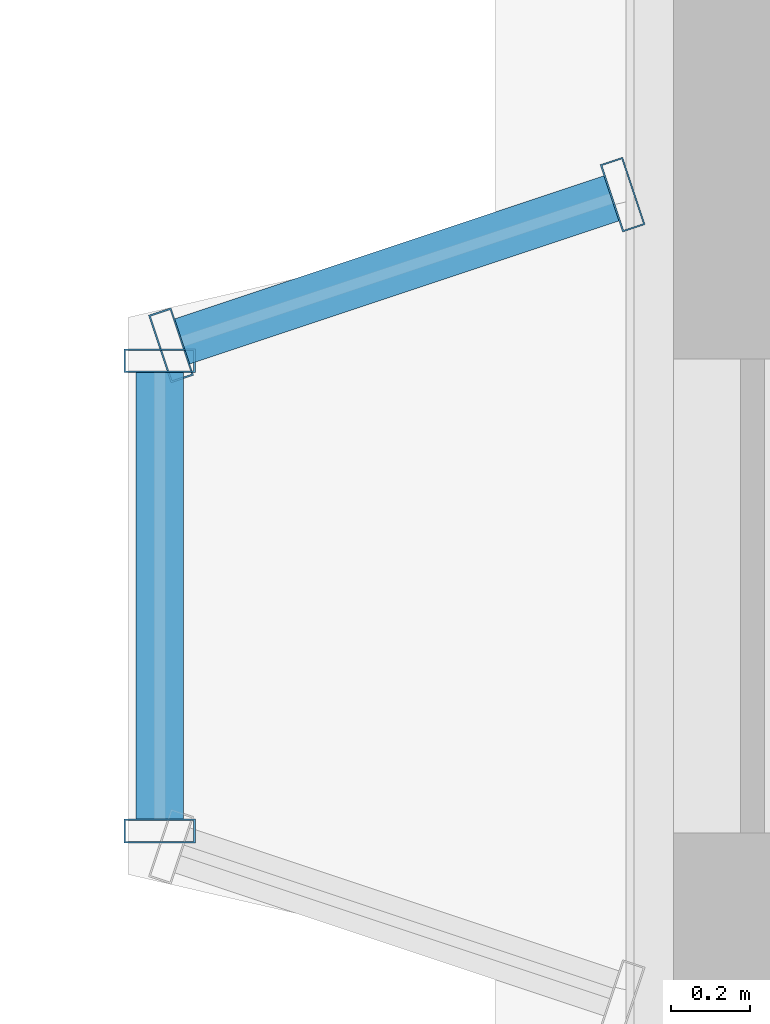
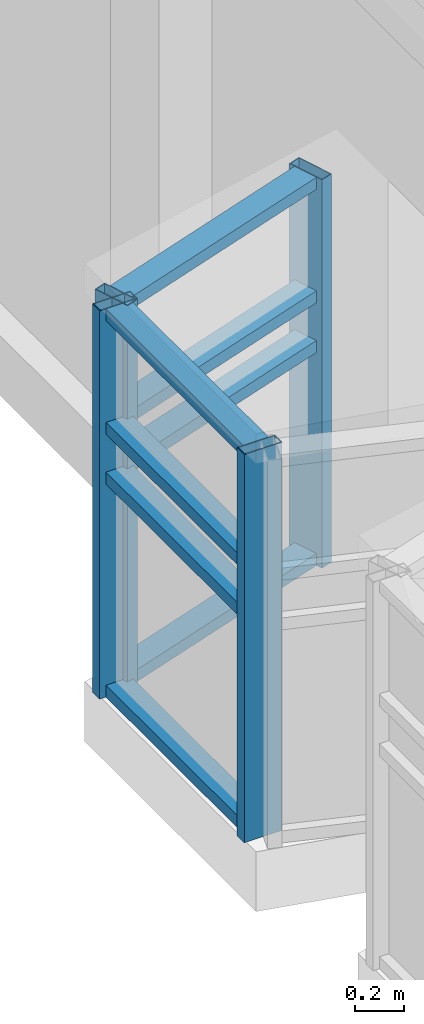
# One storey, part 26 of 153: 12 members, 2 elements without a shape of their own.
"""IFC4 building model written with IfcOpenShell, lengths in metres."""

from ifc_helpers import new_model, si_unit, direction, frame, origin, origin_2d, place, context, subcontext, project, spatial, hollow_rectangle, extrude, material, material_profile, profile_set, type_object, element, aggregate, save


model = new_model("IFC4")

# Units and contexts
model_context = context("Model", 3, precision=1e-05, world=origin(), true_north=direction((0.0, 1.0)))
body_context = subcontext(model_context, "Body", "Model", "MODEL_VIEW")
ifc_project = project(units=[si_unit("LENGTHUNIT", "METRE"), si_unit("AREAUNIT", "SQUARE_METRE"), si_unit("VOLUMEUNIT", "CUBIC_METRE"), si_unit("PLANEANGLEUNIT", "RADIAN"), si_unit("MASSUNIT", "GRAM", prefix="KILO")], contexts=[model_context])

# Site, building, storey
site_placement = place(None, origin())
site = spatial("IfcSite", under=ifc_project, at=site_placement, CompositionType="ELEMENT")
building_placement = place(site_placement, origin())
building = spatial("IfcBuilding", under=site, at=building_placement, Name="Kallimachos Central Library", CompositionType="ELEMENT")
storey_placement = place(building_placement, frame((0.0, 0.0, 5.39990234375)))
storey = spatial("IfcBuildingStorey", under=building, at=storey_placement, Name="L01", CompositionType="ELEMENT", Elevation=5.39990234375)

# Curtain wall, members
ifc_material_1 = material(Name="Laminated glass in anodised aluminium", Category="aluminium")
curtain_wall_type = type_object("IfcCurtainWallType", Name="Foyer curtain wall", PredefinedType="NOTDEFINED", material=ifc_material_1)
curtain_wall_1_placement = place(storey_placement, origin())
curtain_wall_1 = element("IfcCurtainWall", 1, at=curtain_wall_1_placement, inside=storey, type_object=curtain_wall_type, Name="Tribune bay front", PredefinedType="NOTDEFINED")
ifc_material_2 = material(Name="Anodised aluminium", Category="aluminium")
ifc_material_profile_1 = material_profile(ifc_material_2, hollow_rectangle(XDim=0.06005859375, YDim=0.179931640625, WallThickness=0.00390625, at=origin_2d()), Name="ALU MULLION 60x180")
ifc_profile_set_1 = profile_set([ifc_material_profile_1], Name="Anodised aluminium")
member_type_1 = type_object("IfcMemberType", Name="ALU MULLION 60x180 mullion", PredefinedType="MULLION", material=ifc_profile_set_1)
member_1_placement = place(storey_placement, frame((64.0, 24.155029296875, 0.60009765625), z_axis=(0.0, 0.0, 1.0), x_axis=(0.0, 1.0, 0.0)))
member_1 = element("IfcMember", 2, at=member_1_placement, type_object=member_type_1, Name="CW mullion 1", PredefinedType="MULLION", context=body_context, shape_type="SweptSolid", body=[
    extrude(hollow_rectangle(XDim=0.06005859375, YDim=0.179931640625, WallThickness=0.00390625, at=origin_2d()), origin(), (0.0, 0.0, 1.0), 1.949951171875),
])
member_2_placement = place(storey_placement, frame((64.0, 25.344970703125, 0.60009765625), z_axis=(0.0, 0.0, 1.0), x_axis=(0.0, 1.0, 0.0)))
member_2 = element("IfcMember", 3, at=member_2_placement, type_object=member_type_1, Name="CW mullion 2", PredefinedType="MULLION", context=body_context, shape_type="SweptSolid", body=[
    extrude(hollow_rectangle(XDim=0.06005859375, YDim=0.179931640625, WallThickness=0.00390625, at=origin_2d()), origin(), (0.0, 0.0, 1.0), 1.949951171875),
])

curtain_wall_2_placement = place(storey_placement, origin())
curtain_wall_2 = element("IfcCurtainWall", 4, at=curtain_wall_2_placement, inside=storey, type_object=curtain_wall_type, Name="Tribune bay return east", PredefinedType="NOTDEFINED")
member_3_placement = place(storey_placement, frame((64.028564453125, 25.384521484375, 0.60009765625), z_axis=(0.0, 0.0, 1.0), x_axis=(0.94868329805, 0.316227766018, 0.0)))
member_3 = element("IfcMember", 5, at=member_3_placement, type_object=member_type_1, Name="CW mullion 1", PredefinedType="MULLION", context=body_context, shape_type="SweptSolid", body=[
    extrude(hollow_rectangle(XDim=0.06005859375, YDim=0.179931640625, WallThickness=0.00390625, at=origin_2d()), origin(), (0.0, 0.0, 1.0), 1.949951171875),
])
member_4_placement = place(storey_placement, frame((65.171630859375, 25.765625, 0.60009765625), z_axis=(0.0, 0.0, 1.0), x_axis=(0.94868329805, 0.316227766018, 0.0)))
member_4 = element("IfcMember", 6, at=member_4_placement, type_object=member_type_1, Name="CW mullion 2", PredefinedType="MULLION", context=body_context, shape_type="SweptSolid", body=[
    extrude(hollow_rectangle(XDim=0.06005859375, YDim=0.179931640625, WallThickness=0.00390625, at=origin_2d()), origin(), (0.0, 0.0, 1.0), 1.949951171875),
])

# Member
ifc_material_3 = material(Name="Anodised aluminium", Category="aluminium")
ifc_material_profile_2 = material_profile(ifc_material_3, hollow_rectangle(XDim=0.06005859375, YDim=0.1201171875, WallThickness=0.00390625, at=origin_2d()), Name="ALU TRANSOM 60x120")
ifc_profile_set_2 = profile_set([ifc_material_profile_2], Name="Anodised aluminium")
member_type_2 = type_object("IfcMemberType", Name="ALU TRANSOM 60x120 transom", PredefinedType="USERDEFINED", material=ifc_profile_set_2)
member_5_placement = place(storey_placement, frame((64.0, 24.18505859375, 0.630126953125), z_axis=(0.0, 1.0, 0.0), x_axis=(0.0, 0.0, 1.0)))
member_5 = element("IfcMember", 7, at=member_5_placement, type_object=member_type_2, Name="CW transom 1.1", ObjectType="TRANSOM", PredefinedType="USERDEFINED", context=body_context, shape_type="SweptSolid", body=[
    extrude(hollow_rectangle(XDim=0.06005859375, YDim=0.1201171875, WallThickness=0.00390625, at=origin_2d()), origin(), (0.0, 0.0, 1.0), 1.1298828125),
])

member_6_placement = place(storey_placement, frame((64.0, 24.18505859375, 1.7001953125), z_axis=(0.0, 1.0, 0.0), x_axis=(0.0, 0.0, 1.0)))
member_6 = element("IfcMember", 8, at=member_6_placement, type_object=member_type_2, Name="CW transom 1.2", ObjectType="TRANSOM", PredefinedType="USERDEFINED", context=body_context, shape_type="SweptSolid", body=[
    extrude(hollow_rectangle(XDim=0.06005859375, YDim=0.1201171875, WallThickness=0.00390625, at=origin_2d()), origin(), (0.0, 0.0, 1.0), 1.1298828125),
])

member_7_placement = place(storey_placement, frame((64.0, 24.18505859375, 1.9501953125), z_axis=(0.0, 1.0, 0.0), x_axis=(0.0, 0.0, 1.0)))
member_7 = element("IfcMember", 9, at=member_7_placement, type_object=member_type_2, Name="CW transom 1.3", ObjectType="TRANSOM", PredefinedType="USERDEFINED", context=body_context, shape_type="SweptSolid", body=[
    extrude(hollow_rectangle(XDim=0.06005859375, YDim=0.1201171875, WallThickness=0.00390625, at=origin_2d()), origin(), (0.0, 0.0, 1.0), 1.1298828125),
])

member_8_placement = place(storey_placement, frame((64.0, 24.18505859375, 2.52001953125), z_axis=(0.0, 1.0, 0.0), x_axis=(0.0, 0.0, 1.0)))
member_8 = element("IfcMember", 10, at=member_8_placement, type_object=member_type_2, Name="CW transom 1.4", ObjectType="TRANSOM", PredefinedType="USERDEFINED", context=body_context, shape_type="SweptSolid", body=[
    extrude(hollow_rectangle(XDim=0.06005859375, YDim=0.1201171875, WallThickness=0.00390625, at=origin_2d()), origin(), (0.0, 0.0, 1.0), 1.1298828125),
])

aggregate(curtain_wall_1, [member_1, member_2, member_5, member_6, member_7, member_8])

member_9_placement = place(storey_placement, frame((64.056884765625, 25.39404296875, 0.630126953125), z_axis=(0.948683298051, 0.316227766017, 0.0), x_axis=(0.0, 0.0, 1.0)))
member_9 = element("IfcMember", 11, at=member_9_placement, type_object=member_type_2, Name="CW transom 1.1", ObjectType="TRANSOM", PredefinedType="USERDEFINED", context=body_context, shape_type="SweptSolid", body=[
    extrude(hollow_rectangle(XDim=0.06005859375, YDim=0.1201171875, WallThickness=0.00390625, at=origin_2d()), origin(), (0.0, 0.0, 1.0), 1.14501953125),
])

member_10_placement = place(storey_placement, frame((64.056884765625, 25.39404296875, 1.7001953125), z_axis=(0.948683298051, 0.316227766017, 0.0), x_axis=(0.0, 0.0, 1.0)))
member_10 = element("IfcMember", 12, at=member_10_placement, type_object=member_type_2, Name="CW transom 1.2", ObjectType="TRANSOM", PredefinedType="USERDEFINED", context=body_context, shape_type="SweptSolid", body=[
    extrude(hollow_rectangle(XDim=0.06005859375, YDim=0.1201171875, WallThickness=0.00390625, at=origin_2d()), origin(), (0.0, 0.0, 1.0), 1.14501953125),
])

member_11_placement = place(storey_placement, frame((64.056884765625, 25.39404296875, 1.9501953125), z_axis=(0.948683298051, 0.316227766017, 0.0), x_axis=(0.0, 0.0, 1.0)))
member_11 = element("IfcMember", 13, at=member_11_placement, type_object=member_type_2, Name="CW transom 1.3", ObjectType="TRANSOM", PredefinedType="USERDEFINED", context=body_context, shape_type="SweptSolid", body=[
    extrude(hollow_rectangle(XDim=0.06005859375, YDim=0.1201171875, WallThickness=0.00390625, at=origin_2d()), origin(), (0.0, 0.0, 1.0), 1.14501953125),
])

member_12_placement = place(storey_placement, frame((64.056884765625, 25.39404296875, 2.52001953125), z_axis=(0.948683298051, 0.316227766017, 0.0), x_axis=(0.0, 0.0, 1.0)))
member_12 = element("IfcMember", 14, at=member_12_placement, type_object=member_type_2, Name="CW transom 1.4", ObjectType="TRANSOM", PredefinedType="USERDEFINED", context=body_context, shape_type="SweptSolid", body=[
    extrude(hollow_rectangle(XDim=0.06005859375, YDim=0.1201171875, WallThickness=0.00390625, at=origin_2d()), origin(), (0.0, 0.0, 1.0), 1.14501953125),
])

aggregate(curtain_wall_2, [member_3, member_4, member_9, member_10, member_11, member_12])

save(model, "model.ifc")
